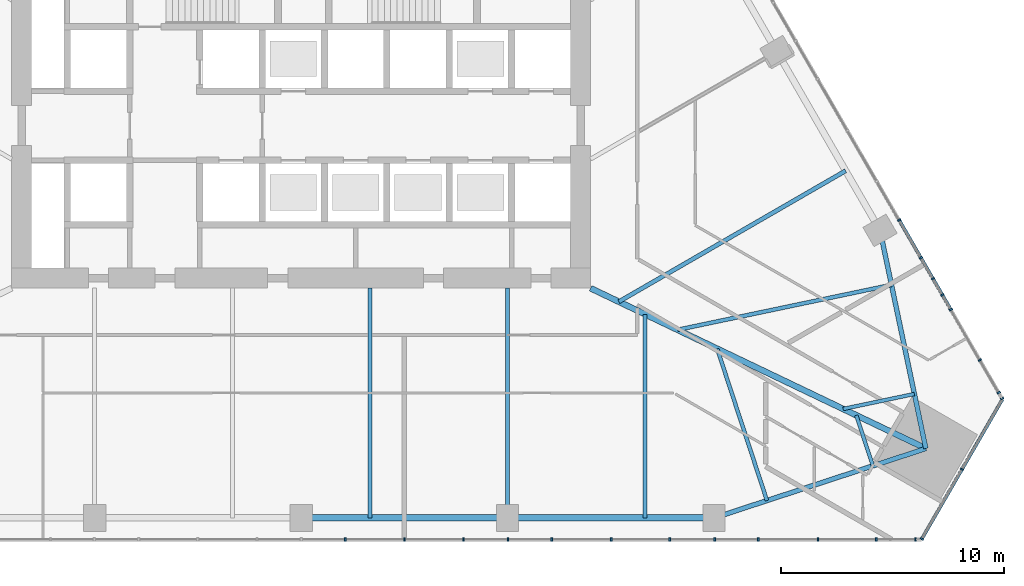
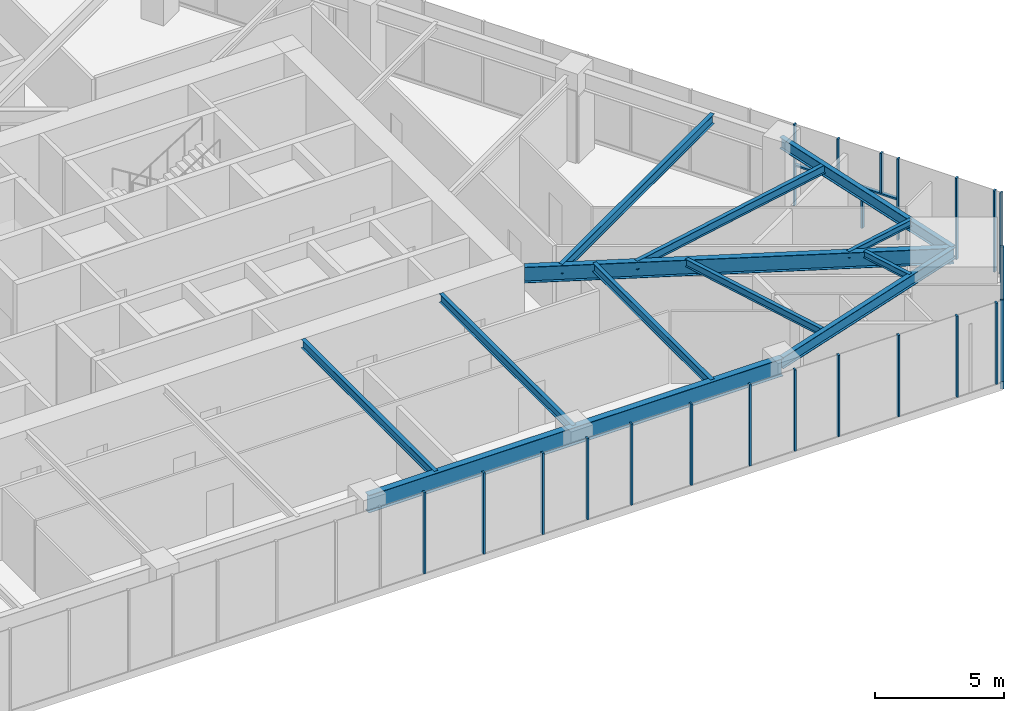
# One storey, part 6 of 22: 24 members, 12 beams, 3 elements without a shape of their own.
"""IFC4 building model written with IfcOpenShell, lengths in metres."""

from ifc_helpers import new_model, si_unit, direction, frame, origin, origin_2d, place, context, subcontext, project, spatial, rectangle, i_section, extrude, material, layer, layer_set, material_profile, profile_set, type_object, element, aggregate, save


model = new_model("IFC4")

# Units and contexts
model_context = context("Model", 3, precision=1e-05, world=origin(), true_north=direction((0.0, 1.0)))
body_context = subcontext(model_context, "Body", "Model", "MODEL_VIEW")
ifc_project = project(units=[si_unit("LENGTHUNIT", "METRE"), si_unit("AREAUNIT", "SQUARE_METRE"), si_unit("VOLUMEUNIT", "CUBIC_METRE"), si_unit("PLANEANGLEUNIT", "RADIAN"), si_unit("MASSUNIT", "GRAM", prefix="KILO")], contexts=[model_context])

# Site, building, storey
site_placement = place(None, origin())
site = spatial("IfcSite", under=ifc_project, at=site_placement, CompositionType="ELEMENT")
building_placement = place(site_placement, origin())
building = spatial("IfcBuilding", under=site, at=building_placement, Name="Firuza Gate Tower and Library", CompositionType="ELEMENT")
storey_placement = place(building_placement, frame((0.0, 0.0, 132.39990234375)))
storey = spatial("IfcBuildingStorey", under=building, at=storey_placement, Name="L30", CompositionType="ELEMENT", Elevation=132.39990234375)

# Curtain wall, members
ifc_material_1 = material(Name="Aluminium 6063-T6", Category="aluminium")
ifc_layer_1 = layer(ifc_material_1, 0.14990234375)
ifc_layer_set_1 = layer_set([ifc_layer_1], Name="Unitised curtain wall, offices")
curtain_wall_type_1 = type_object("IfcCurtainWallType", Name="Unitised curtain wall, offices", PredefinedType="NOTDEFINED", material=ifc_layer_set_1)
placement = place(storey_placement, origin())
curtain_wall_1 = element("IfcCurtainWall", 1, at=placement, inside=storey, type_object=curtain_wall_type_1, Name="CW1 L30 S face", PredefinedType="NOTDEFINED")
ifc_material_2 = material(Name="Aluminium 6063-T6", Category="aluminium")
ifc_material_profile_1 = material_profile(ifc_material_2, rectangle(XDim=0.14990234375, YDim=0.080078125, at=origin_2d()))
ifc_profile_set_1 = profile_set([ifc_material_profile_1], Name="Aluminium 6063-T6")
member_type_1 = type_object("IfcMemberType", Name="Curtain wall mullion 80x150", PredefinedType="MULLION", material=ifc_profile_set_1)
member_1_placement = place(storey_placement, frame((79.643310546875, 54.7080078125, 0.150146484375), z_axis=(0.0, 0.0, 1.0), x_axis=(0.0, 1.0, 0.0)))
member_1 = element("IfcMember", 2, at=member_1_placement, type_object=member_type_1, Name="Mullion", PredefinedType="MULLION", context=body_context, shape_type="SweptSolid", body=[
    extrude(rectangle(XDim=0.14990234375, YDim=0.080078125, at=origin_2d()), origin(), (0.0, 0.0, 1.0), 3.849853515625),
])
member_2_placement = place(storey_placement, frame((84.28662109375, 54.7080078125, 0.150146484375), z_axis=(0.0, 0.0, 1.0), x_axis=(0.0, 1.0, 0.0)))
member_2 = element("IfcMember", 3, at=member_2_placement, type_object=member_type_1, Name="Mullion", PredefinedType="MULLION", context=body_context, shape_type="SweptSolid", body=[
    extrude(rectangle(XDim=0.14990234375, YDim=0.080078125, at=origin_2d()), origin(), (0.0, 0.0, 1.0), 3.849853515625),
])
member_3_placement = place(storey_placement, frame((88.93017578125, 54.7080078125, 0.150146484375), z_axis=(0.0, 0.0, 1.0), x_axis=(0.0, 1.0, 0.0)))
member_3 = element("IfcMember", 4, at=member_3_placement, type_object=member_type_1, Name="Mullion", PredefinedType="MULLION", context=body_context, shape_type="SweptSolid", body=[
    extrude(rectangle(XDim=0.14990234375, YDim=0.080078125, at=origin_2d()), origin(), (0.0, 0.0, 1.0), 3.849853515625),
])
member_4_placement = place(storey_placement, frame((93.573486328125, 54.7080078125, 0.150146484375), z_axis=(0.0, 0.0, 1.0), x_axis=(0.0, 1.0, 0.0)))
member_4 = element("IfcMember", 5, at=member_4_placement, type_object=member_type_1, Name="Mullion", PredefinedType="MULLION", context=body_context, shape_type="SweptSolid", body=[
    extrude(rectangle(XDim=0.14990234375, YDim=0.080078125, at=origin_2d()), origin(), (0.0, 0.0, 1.0), 3.849853515625),
])
member_5_placement = place(storey_placement, frame((98.216796875, 54.7080078125, 0.150146484375), z_axis=(0.0, 0.0, 1.0), x_axis=(0.0, 1.0, 0.0)))
member_5 = element("IfcMember", 6, at=member_5_placement, type_object=member_type_1, Name="Mullion", PredefinedType="MULLION", context=body_context, shape_type="SweptSolid", body=[
    extrude(rectangle(XDim=0.14990234375, YDim=0.080078125, at=origin_2d()), origin(), (0.0, 0.0, 1.0), 3.849853515625),
])
member_6_placement = place(storey_placement, frame((76.983642578125, 54.7080078125, 0.150146484375), z_axis=(0.0, 0.0, 1.0), x_axis=(0.0, 1.0, 0.0)))
member_6 = element("IfcMember", 7, at=member_6_placement, type_object=member_type_1, Name="Mullion", PredefinedType="MULLION", context=body_context, shape_type="SweptSolid", body=[
    extrude(rectangle(XDim=0.14990234375, YDim=0.080078125, at=origin_2d()), origin(), (0.0, 0.0, 1.0), 3.849853515625),
])
member_7_placement = place(storey_placement, frame((82.28857421875, 54.7080078125, 0.150146484375), z_axis=(0.0, 0.0, 1.0), x_axis=(0.0, 1.0, 0.0)))
member_7 = element("IfcMember", 8, at=member_7_placement, type_object=member_type_1, Name="Mullion", PredefinedType="MULLION", context=body_context, shape_type="SweptSolid", body=[
    extrude(rectangle(XDim=0.14990234375, YDim=0.080078125, at=origin_2d()), origin(), (0.0, 0.0, 1.0), 3.849853515625),
])
member_8_placement = place(storey_placement, frame((86.255859375, 54.7080078125, 0.150146484375), z_axis=(0.0, 0.0, 1.0), x_axis=(0.0, 1.0, 0.0)))
member_8 = element("IfcMember", 9, at=member_8_placement, type_object=member_type_1, Name="Mullion", PredefinedType="MULLION", context=body_context, shape_type="SweptSolid", body=[
    extrude(rectangle(XDim=0.14990234375, YDim=0.080078125, at=origin_2d()), origin(), (0.0, 0.0, 1.0), 3.849853515625),
])
member_9_placement = place(storey_placement, frame((91.560791015625, 54.7080078125, 0.150146484375), z_axis=(0.0, 0.0, 1.0), x_axis=(0.0, 1.0, 0.0)))
member_9 = element("IfcMember", 10, at=member_9_placement, type_object=member_type_1, Name="Mullion", PredefinedType="MULLION", context=body_context, shape_type="SweptSolid", body=[
    extrude(rectangle(XDim=0.14990234375, YDim=0.080078125, at=origin_2d()), origin(), (0.0, 0.0, 1.0), 3.849853515625),
])
member_10_placement = place(storey_placement, frame((95.5283203125, 54.7080078125, 0.150146484375), z_axis=(0.0, 0.0, 1.0), x_axis=(0.0, 1.0, 0.0)))
member_10 = element("IfcMember", 11, at=member_10_placement, type_object=member_type_1, Name="Mullion", PredefinedType="MULLION", context=body_context, shape_type="SweptSolid", body=[
    extrude(rectangle(XDim=0.14990234375, YDim=0.080078125, at=origin_2d()), origin(), (0.0, 0.0, 1.0), 3.849853515625),
])
member_11_placement = place(storey_placement, frame((100.833251953125, 54.7080078125, 0.150146484375), z_axis=(0.0, 0.0, 1.0), x_axis=(0.0, 1.0, 0.0)))
member_11 = element("IfcMember", 12, at=member_11_placement, type_object=member_type_1, Name="Mullion", PredefinedType="MULLION", context=body_context, shape_type="SweptSolid", body=[
    extrude(rectangle(XDim=0.14990234375, YDim=0.080078125, at=origin_2d()), origin(), (0.0, 0.0, 1.0), 3.849853515625),
])
member_12_placement = place(storey_placement, frame((102.593994140625, 54.7080078125, 0.150146484375), z_axis=(0.0, 0.0, 1.0), x_axis=(0.0, 1.0, 0.0)))
member_12 = element("IfcMember", 13, at=member_12_placement, type_object=member_type_1, Name="Mullion", PredefinedType="MULLION", context=body_context, shape_type="SweptSolid", body=[
    extrude(rectangle(XDim=0.14990234375, YDim=0.080078125, at=origin_2d()), origin(), (0.0, 0.0, 1.0), 3.849853515625),
])
aggregate(curtain_wall_1, [member_1, member_2, member_3, member_4, member_5, member_6, member_7, member_8, member_9, member_10, member_11, member_12])

ifc_material_3 = material(Name="Aluminium 6063-T6", Category="aluminium")
ifc_layer_2 = layer(ifc_material_3, 0.14990234375)
ifc_layer_set_2 = layer_set([ifc_layer_2], Name="Corner curtain wall, chamfers")
curtain_wall_type_2 = type_object("IfcCurtainWallType", Name="Corner curtain wall, chamfers", PredefinedType="NOTDEFINED", material=ifc_layer_set_2)
curtain_wall_2 = element("IfcCurtainWall", 14, at=placement, inside=storey, type_object=curtain_wall_type_2, Name="CW4 L30 SE corner", PredefinedType="NOTDEFINED")
member_13_placement = place(storey_placement, frame((102.880126953125, 54.74267578125, 0.150146484375), z_axis=(0.0, 0.0, 1.0), x_axis=(-0.866025403784, 0.5, 0.0)))
member_13 = element("IfcMember", 15, at=member_13_placement, type_object=member_type_1, Name="Mullion", PredefinedType="MULLION", context=body_context, shape_type="SweptSolid", body=[
    extrude(rectangle(XDim=0.14990234375, YDim=0.080078125, at=origin_2d()), origin(), (0.0, 0.0, 1.0), 3.849853515625),
])
member_14_placement = place(storey_placement, frame((104.681884765625, 57.86328125, 0.150146484375), z_axis=(0.0, 0.0, 1.0), x_axis=(-0.866025403784, 0.5, 0.0)))
member_14 = element("IfcMember", 16, at=member_14_placement, type_object=member_type_1, Name="Mullion", PredefinedType="MULLION", context=body_context, shape_type="SweptSolid", body=[
    extrude(rectangle(XDim=0.14990234375, YDim=0.080078125, at=origin_2d()), origin(), (0.0, 0.0, 1.0), 3.849853515625),
])

curtain_wall_3 = element("IfcCurtainWall", 17, at=placement, inside=storey, type_object=curtain_wall_type_1, Name="CW1 L30 E face", PredefinedType="NOTDEFINED")
member_15_placement = place(storey_placement, frame((106.4833984375, 61.052978515625, 0.150146484375), z_axis=(0.0, 0.0, 1.0), x_axis=(-0.866025403784, -0.5, 0.0)))
member_15 = element("IfcMember", 18, at=member_15_placement, type_object=member_type_1, Name="Mullion", PredefinedType="MULLION", context=body_context, shape_type="SweptSolid", body=[
    extrude(rectangle(XDim=0.14990234375, YDim=0.080078125, at=origin_2d()), origin(), (0.0, 0.0, 1.0), 3.849853515625),
])
member_16_placement = place(storey_placement, frame((104.181884765625, 65.03955078125, 0.150146484375), z_axis=(0.0, 0.0, 1.0), x_axis=(-0.866025403784, -0.5, 0.0)))
member_16 = element("IfcMember", 19, at=member_16_placement, type_object=member_type_1, Name="Mullion", PredefinedType="MULLION", context=body_context, shape_type="SweptSolid", body=[
    extrude(rectangle(XDim=0.14990234375, YDim=0.080078125, at=origin_2d()), origin(), (0.0, 0.0, 1.0), 3.849853515625),
])
member_17_placement = place(storey_placement, frame((101.860107421875, 69.06103515625, 0.150146484375), z_axis=(0.0, 0.0, 1.0), x_axis=(-0.866025403784, -0.5, 0.0)))
member_17 = element("IfcMember", 20, at=member_17_placement, type_object=member_type_1, Name="Mullion", PredefinedType="MULLION", context=body_context, shape_type="SweptSolid", body=[
    extrude(rectangle(XDim=0.14990234375, YDim=0.080078125, at=origin_2d()), origin(), (0.0, 0.0, 1.0), 3.849853515625),
])
member_18_placement = place(storey_placement, frame((106.337890625, 61.30517578125, 0.150146484375), z_axis=(0.0, 0.0, 1.0), x_axis=(-0.866025403784, -0.5, 0.0)))
member_18 = element("IfcMember", 21, at=member_18_placement, type_object=member_type_1, Name="Mullion", PredefinedType="MULLION", context=body_context, shape_type="SweptSolid", body=[
    extrude(rectangle(XDim=0.14990234375, YDim=0.080078125, at=origin_2d()), origin(), (0.0, 0.0, 1.0), 3.849853515625),
])
member_19_placement = place(storey_placement, frame((105.489990234375, 62.77392578125, 0.150146484375), z_axis=(0.0, 0.0, 1.0), x_axis=(-0.866025403784, -0.5, 0.0)))
member_19 = element("IfcMember", 22, at=member_19_placement, type_object=member_type_1, Name="Mullion", PredefinedType="MULLION", context=body_context, shape_type="SweptSolid", body=[
    extrude(rectangle(XDim=0.14990234375, YDim=0.080078125, at=origin_2d()), origin(), (0.0, 0.0, 1.0), 3.849853515625),
])
member_20_placement = place(storey_placement, frame((103.3798828125, 66.4287109375, 0.150146484375), z_axis=(0.0, 0.0, 1.0), x_axis=(-0.866025403784, -0.5, 0.0)))
member_20 = element("IfcMember", 23, at=member_20_placement, type_object=member_type_1, Name="Mullion", PredefinedType="MULLION", context=body_context, shape_type="SweptSolid", body=[
    extrude(rectangle(XDim=0.14990234375, YDim=0.080078125, at=origin_2d()), origin(), (0.0, 0.0, 1.0), 1.885009765625),
])
member_21_placement = place(storey_placement, frame((103.802490234375, 65.696533203125, 2.114990234375), z_axis=(0.0, 0.0, 1.0), x_axis=(-0.866025403784, -0.5, 0.0)))
member_21 = element("IfcMember", 24, at=member_21_placement, type_object=member_type_1, Name="Mullion", PredefinedType="MULLION", context=body_context, shape_type="SweptSolid", body=[
    extrude(rectangle(XDim=0.14990234375, YDim=0.080078125, at=origin_2d()), origin(), (0.0, 0.0, 1.0), 1.885009765625),
])
member_22_placement = place(storey_placement, frame((102.83740234375, 67.367919921875, 2.114990234375), z_axis=(0.0, 0.0, 1.0), x_axis=(-0.866025403784, -0.5, 0.0)))
member_22 = element("IfcMember", 25, at=member_22_placement, type_object=member_type_1, Name="Mullion", PredefinedType="MULLION", context=body_context, shape_type="SweptSolid", body=[
    extrude(rectangle(XDim=0.14990234375, YDim=0.080078125, at=origin_2d()), origin(), (0.0, 0.0, 1.0), 1.885009765625),
])

# Member
ifc_material_4 = material(Name="Aluminium 6063-T6", Category="aluminium")
ifc_material_profile_2 = material_profile(ifc_material_4, rectangle(XDim=0.14990234375, YDim=0.35009765625, at=origin_2d()))
ifc_profile_set_2 = profile_set([ifc_material_profile_2], Name="Aluminium 6063-T6")
member_type_2 = type_object("IfcMemberType", Name="Curtain wall transom 350x150", PredefinedType="USERDEFINED", material=ifc_profile_set_2)
member_23_placement = place(storey_placement, frame((102.860107421875, 54.7080078125, -0.02490234375), z_axis=(0.500005719219, 0.866022101766, 0.0), x_axis=(-0.866022101766, 0.500005719219, 0.0)))
member_23 = element("IfcMember", 26, at=member_23_placement, type_object=member_type_2, Name="Transom", ObjectType="TRANSOM", PredefinedType="USERDEFINED", context=body_context, shape_type="SweptSolid", body=[
    extrude(rectangle(XDim=0.14990234375, YDim=0.35009765625, at=origin_2d()), origin(), (0.0, 0.0, 1.0), 7.28662109375),
])

aggregate(curtain_wall_2, [member_13, member_14, member_23])

ifc_material_5 = material(Name="Aluminium 6063-T6", Category="aluminium")
ifc_material_profile_3 = material_profile(ifc_material_5, rectangle(XDim=0.14990234375, YDim=0.080078125, at=origin_2d()))
ifc_profile_set_3 = profile_set([ifc_material_profile_3], Name="Aluminium 6063-T6")
member_type_3 = type_object("IfcMemberType", Name="Curtain wall transom 80x150", PredefinedType="USERDEFINED", material=ifc_profile_set_3)
member_24_placement = place(storey_placement, frame((104.161865234375, 65.07421875, 2.0751953125), z_axis=(-0.499994135611, 0.866028789565, 0.0), x_axis=(-0.866028789565, -0.499994135611, 0.0)))
member_24 = element("IfcMember", 27, at=member_24_placement, type_object=member_type_3, Name="Transom", ObjectType="TRANSOM", PredefinedType="USERDEFINED", context=body_context, shape_type="SweptSolid", body=[
    extrude(rectangle(XDim=0.14990234375, YDim=0.080078125, at=origin_2d()), origin(), (0.0, 0.0, 1.0), 4.5634765625),
])

aggregate(curtain_wall_3, [member_15, member_16, member_17, member_18, member_19, member_20, member_21, member_22, member_24])

# Beams
ifc_material_6 = material(Name="Steel S355", Category="steel")
ifc_material_profile_4 = material_profile(ifc_material_6, i_section(OverallWidth=0.1650390625, OverallDepth=0.31005859375, WebThickness=0.005859375, FlangeThickness=0.009765625, at=origin_2d()))
ifc_profile_set_4 = profile_set([ifc_material_profile_4], Name="Steel S355")
beam_type_1 = type_object("IfcBeamType", Name="W310x39 Floor beam", PredefinedType="JOIST", material=ifc_profile_set_4)
beam_1_placement = place(storey_placement, frame((100.6796875, 58.021240234375, 3.84521484375), z_axis=(-0.311446407366, 0.950263718837, 0.0), x_axis=(-0.950263718837, -0.311446407366, 0.0)))
element("IfcBeam", 28, at=beam_1_placement, inside=storey, type_object=beam_type_1, Name="Floor beam L30 s31", PredefinedType="JOIST", context=body_context, shape_type="SweptSolid", body=[
    extrude(i_section(OverallWidth=0.1650390625, OverallDepth=0.31005859375, WebThickness=0.005859375, FlangeThickness=0.009765625, at=origin_2d()), origin(), (0.0, 0.0, 1.0), 2.3916015625),
])
beam_2_placement = place(storey_placement, frame((102.5439453125, 61.250244140625, 3.84521484375), z_axis=(-0.978668348175, -0.2054464998, 0.0), x_axis=(0.2054464998, -0.978668348175, 0.0)))
element("IfcBeam", 29, at=beam_2_placement, inside=storey, type_object=beam_type_1, Name="Floor beam L30 s40", PredefinedType="JOIST", context=body_context, shape_type="SweptSolid", body=[
    extrude(i_section(OverallWidth=0.1650390625, OverallDepth=0.31005859375, WebThickness=0.005859375, FlangeThickness=0.009765625, at=origin_2d()), origin(), (0.0, 0.0, 1.0), 3.272705078125),
])
ifc_material_7 = material(Name="Steel S355", Category="steel")
ifc_material_profile_5 = material_profile(ifc_material_7, i_section(OverallWidth=0.1708984375, OverallDepth=0.35498046875, WebThickness=0.007080078125, FlangeThickness=0.01171875, at=origin_2d()))
ifc_profile_set_5 = profile_set([ifc_material_profile_5], Name="Steel S355")
beam_type_2 = type_object("IfcBeamType", Name="W360x51 Floor beam", PredefinedType="JOIST", material=ifc_profile_set_5)
beam_3_placement = place(storey_placement, frame((95.9228515625, 56.46240234375, 3.822509765625), z_axis=(-0.311395022273, 0.950280558627, 0.0), x_axis=(-0.950280558627, -0.311395022273, 0.0)))
element("IfcBeam", 30, at=beam_3_placement, inside=storey, type_object=beam_type_2, Name="Floor beam L30 s30", PredefinedType="JOIST", context=body_context, shape_type="SweptSolid", body=[
    extrude(i_section(OverallWidth=0.1708984375, OverallDepth=0.35498046875, WebThickness=0.007080078125, FlangeThickness=0.01171875, at=origin_2d()), origin(), (0.0, 0.0, 1.0), 7.174560546875),
])
ifc_material_8 = material(Name="Steel S355", Category="steel")
ifc_material_profile_6 = material_profile(ifc_material_8, i_section(OverallWidth=0.177978515625, OverallDepth=0.406982421875, WebThickness=0.0078125, FlangeThickness=0.0126953125, at=origin_2d()))
ifc_profile_set_6 = profile_set([ifc_material_profile_6], Name="Steel S355")
beam_type_3 = type_object("IfcBeamType", Name="W410x60 Floor beam", PredefinedType="JOIST", material=ifc_profile_set_6)
for number, where, z_axis, x_axis, name in (
    (31, (78.0908203125, 55.68310546875, 3.796630859375), (0.0, 1.0, 0.0), (-1.0, 0.0, 0.0), "Floor beam L30 s23"),
    (32, (84.272216796875, 55.68310546875, 3.796630859375), (0.0, 1.0, 0.0), (-1.0, 0.0, 0.0), "Floor beam L30 s24"),
):
    element("IfcBeam", number, at=place(storey_placement, frame(where, z_axis=z_axis, x_axis=x_axis)), inside=storey, type_object=beam_type_3, Name=name, PredefinedType="JOIST", context=body_context, shape_type="SweptSolid", body=[
        extrude(i_section(OverallWidth=0.177978515625, OverallDepth=0.406982421875, WebThickness=0.0078125, FlangeThickness=0.0126953125, at=origin_2d()), origin(), (0.0, 0.0, 1.0), 10.31689453125),
    ])
beam_4_placement = place(storey_placement, frame((90.453857421875, 55.68310546875, 3.796630859375), z_axis=(0.0, 1.0, 0.0), x_axis=(-1.0, 0.0, 0.0)))
element("IfcBeam", 33, at=beam_4_placement, inside=storey, type_object=beam_type_3, Name="Floor beam L30 s25", PredefinedType="JOIST", context=body_context, shape_type="SweptSolid", body=[
    extrude(i_section(OverallWidth=0.177978515625, OverallDepth=0.406982421875, WebThickness=0.0078125, FlangeThickness=0.0126953125, at=origin_2d()), origin(), (0.0, 0.0, 1.0), 9.143798828125),
])
beam_5_placement = place(storey_placement, frame((101.515380859375, 66.14892578125, 3.796630859375), z_axis=(-0.978672298286, -0.205427682085, 0.0), x_axis=(0.205427682085, -0.978672298286, 0.0)))
element("IfcBeam", 34, at=beam_5_placement, inside=storey, type_object=beam_type_3, Name="Floor beam L30 s41", PredefinedType="JOIST", context=body_context, shape_type="SweptSolid", body=[
    extrude(i_section(OverallWidth=0.177978515625, OverallDepth=0.406982421875, WebThickness=0.0078125, FlangeThickness=0.0126953125, at=origin_2d()), origin(), (0.0, 0.0, 1.0), 9.81787109375),
])
ifc_material_9 = material(Name="Steel S355", Category="steel")
ifc_material_profile_7 = material_profile(ifc_material_9, i_section(OverallWidth=0.18994140625, OverallDepth=0.45703125, WebThickness=0.009033203125, FlangeThickness=0.014404296875, at=origin_2d()))
ifc_profile_set_7 = profile_set([ifc_material_profile_7], Name="Steel S355")
beam_type_4 = type_object("IfcBeamType", Name="W460x74 Floor beam", PredefinedType="JOIST", material=ifc_profile_set_7)
beam_6_placement = place(storey_placement, frame((99.455810546875, 71.275146484375, 3.771484375), z_axis=(-0.866026254694, -0.499998526178, 0.0), x_axis=(0.499998526178, -0.866026254694, 0.0)))
element("IfcBeam", 35, at=beam_6_placement, inside=storey, type_object=beam_type_4, Name="Floor beam L30 s50", PredefinedType="JOIST", context=body_context, shape_type="SweptSolid", body=[
    extrude(i_section(OverallWidth=0.18994140625, OverallDepth=0.45703125, WebThickness=0.009033203125, FlangeThickness=0.014404296875, at=origin_2d()), origin(), (0.0, 0.0, 1.0), 11.76318359375),
])
ifc_material_10 = material(Name="Steel S355", Category="steel")
ifc_material_profile_8 = material_profile(ifc_material_10, i_section(OverallWidth=0.212890625, OverallDepth=0.5390625, WebThickness=0.01171875, FlangeThickness=0.018798828125, at=origin_2d()))
ifc_profile_set_8 = profile_set([ifc_material_profile_8], Name="Steel S355")
beam_type_5 = type_object("IfcBeamType", Name="W530x109 Edge beam", PredefinedType="SPANDREL", material=ifc_profile_set_8)
for number, where, z_axis, x_axis, name in (
    (36, (93.544677734375, 55.68310546875, 3.730712890625), (0.950273322164, 0.311417104833, 0.0), (-0.311417104833, 0.950273322164, 0.0), "Edge beam L30 e30"),
    (37, (103.05810546875, 58.80078125, 3.730712890625), (-0.205458608485, 0.978665806187, 0.0), (-0.978665806187, -0.205458608485, 0.0), "Edge beam L30 e40"),
):
    element("IfcBeam", number, at=place(storey_placement, frame(where, z_axis=z_axis, x_axis=x_axis)), inside=storey, type_object=beam_type_5, Name=name, PredefinedType="SPANDREL", context=body_context, shape_type="SweptSolid", body=[
        extrude(i_section(OverallWidth=0.212890625, OverallDepth=0.5390625, WebThickness=0.01171875, FlangeThickness=0.018798828125, at=origin_2d()), origin(), (0.0, 0.0, 1.0), 10.01123046875),
    ])
ifc_material_11 = material(Name="Steel S355", Category="steel")
ifc_material_profile_9 = material_profile(ifc_material_11, i_section(OverallWidth=0.264892578125, OverallDepth=0.7529296875, WebThickness=0.01318359375, FlangeThickness=0.01708984375, at=origin_2d()))
ifc_profile_set_9 = profile_set([ifc_material_profile_9], Name="Steel S355")
beam_type_6 = type_object("IfcBeamType", Name="W760x147 Girder", PredefinedType="BEAM", material=ifc_profile_set_9)
beam_7_placement = place(storey_placement, frame((103.05810546875, 58.80078125, 3.62353515625), z_axis=(-0.902192138225, 0.431334378092, 0.0), x_axis=(-0.431334378092, -0.902192138225, 0.0)))
element("IfcBeam", 38, at=beam_7_placement, inside=storey, type_object=beam_type_6, Name="Girder L30 gSE", PredefinedType="BEAM", context=body_context, shape_type="SweptSolid", body=[
    extrude(i_section(OverallWidth=0.264892578125, OverallDepth=0.7529296875, WebThickness=0.01318359375, FlangeThickness=0.01708984375, at=origin_2d()), origin(), (0.0, 0.0, 1.0), 16.690673828125),
])
ifc_material_12 = material(Name="Steel S355", Category="steel")
ifc_material_profile_10 = material_profile(ifc_material_12, i_section(OverallWidth=0.2919921875, OverallDepth=0.8349609375, WebThickness=0.013916015625, FlangeThickness=0.018798828125, at=origin_2d()))
ifc_profile_set_10 = profile_set([ifc_material_profile_10], Name="Steel S355")
beam_type_7 = type_object("IfcBeamType", Name="W840x176 Edge beam", PredefinedType="SPANDREL", material=ifc_profile_set_10)
beam_8_placement = place(storey_placement, frame((75.0, 55.68310546875, 3.58251953125), z_axis=(1.0, 0.0, 0.0), x_axis=(0.0, 1.0, 0.0)))
element("IfcBeam", 39, at=beam_8_placement, inside=storey, type_object=beam_type_7, Name="Edge beam L30 e22", PredefinedType="SPANDREL", context=body_context, shape_type="SweptSolid", body=[
    extrude(i_section(OverallWidth=0.2919921875, OverallDepth=0.8349609375, WebThickness=0.013916015625, FlangeThickness=0.018798828125, at=origin_2d()), origin(), (0.0, 0.0, 1.0), 18.544677734375),
])

save(model, "model.ifc")
